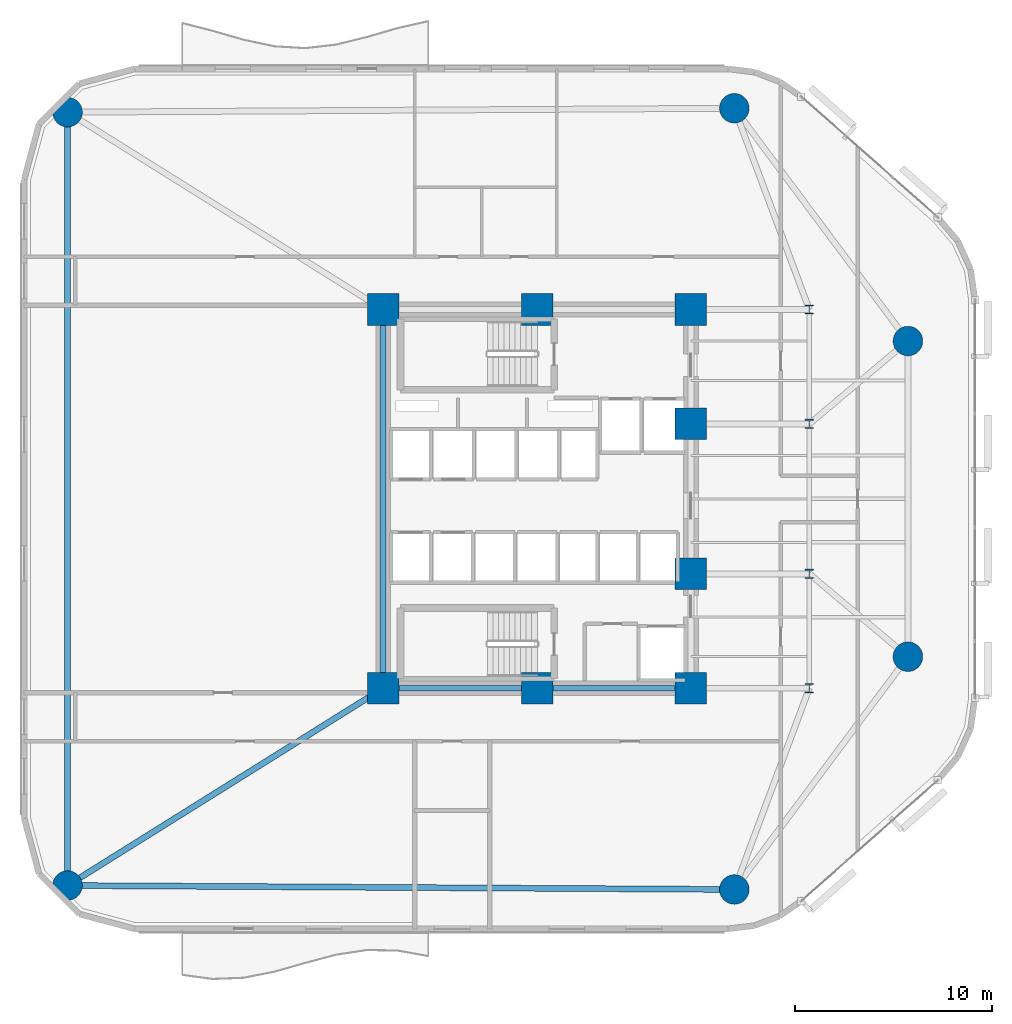
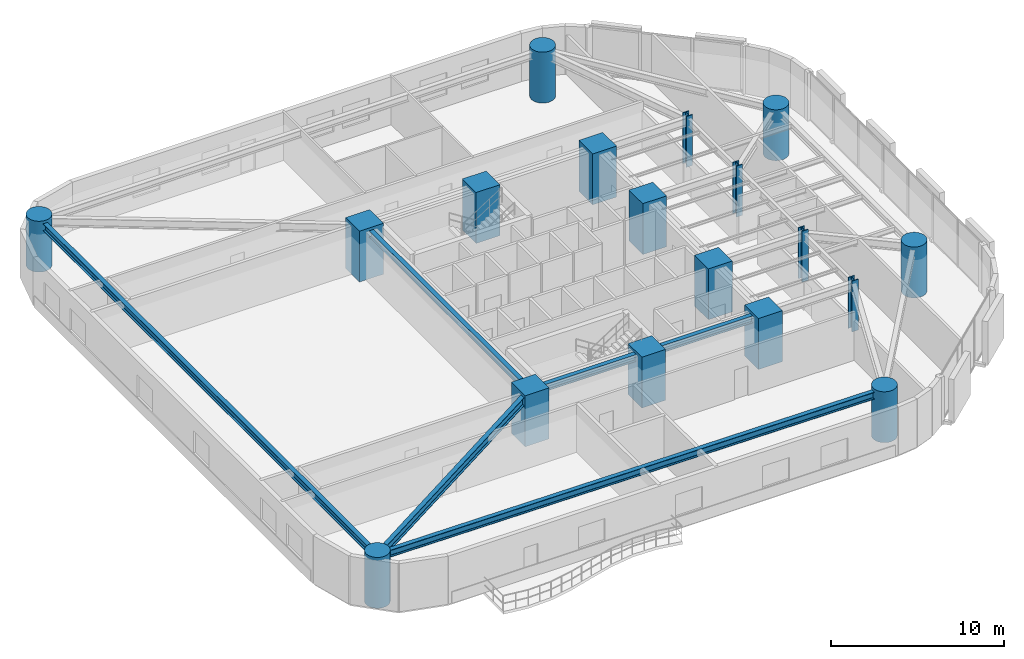
# One storey, part 1 of 15: 18 columns, 5 beams.
"""IFC4 building model written with IfcOpenShell, lengths in metres."""

from ifc_helpers import new_model, si_unit, direction, frame, origin, origin_2d, place, context, subcontext, project, spatial, rectangle, circle, i_section, extrude, material, material_profile, profile_set, type_object, element, save


model = new_model("IFC4")

# Units and contexts
model_context = context("Model", 3, precision=1e-05, world=origin(), true_north=direction((0.0, 1.0)))
body_context = subcontext(model_context, "Body", "Model", "MODEL_VIEW")
ifc_project = project(units=[si_unit("LENGTHUNIT", "METRE"), si_unit("AREAUNIT", "SQUARE_METRE"), si_unit("VOLUMEUNIT", "CUBIC_METRE"), si_unit("PLANEANGLEUNIT", "RADIAN"), si_unit("MASSUNIT", "GRAM", prefix="KILO")], contexts=[model_context])

# Site, building, storey
site_placement = place(None, origin())
site = spatial("IfcSite", under=ifc_project, at=site_placement, CompositionType="ELEMENT")
building_placement = place(site_placement, origin())
building = spatial("IfcBuilding", under=site, at=building_placement, Name="An Khanh Terracotta Commons", CompositionType="ELEMENT")
storey_placement = place(building_placement, frame((0.0, 0.0, 64.800048828125)))
storey = spatial("IfcBuildingStorey", under=building, at=storey_placement, Name="L17", CompositionType="ELEMENT", Elevation=64.800048828125)

# Columns
ifc_material_1 = material(Name="Concrete C70/85", Category="concrete")
ifc_material_profile_1 = material_profile(ifc_material_1, circle(Radius=0.75, at=origin_2d()), Name="CFST1500")
ifc_profile_set_1 = profile_set([ifc_material_profile_1], Name="Concrete C70/85")
column_type_1 = type_object("IfcColumnType", Name="COL-CFST1500", PredefinedType="COLUMN", material=ifc_profile_set_1)
for number, where, z_axis, x_axis, name in (
    (1, (5.60009765625, 4.39990234375, 0.0), (0.0, 0.0, 1.0), (1.0, 0.0, 0.0), "L17 Perimeter CFST Mega-Column MC-01"),
    (2, (39.39990234375, 4.199951171875, 0.0), (0.0, 0.0, 1.0), (1.0, 0.0, 0.0), "L17 Perimeter CFST Mega-Column MC-02"),
    (3, (48.199951171875, 16.0, 0.0), (0.0, 0.0, 1.0), (1.0, 0.0, 0.0), "L17 Perimeter CFST Mega-Column MC-03"),
    (4, (48.199951171875, 32.0, 0.0), (0.0, 0.0, 1.0), (1.0, 0.0, 0.0), "L17 Perimeter CFST Mega-Column MC-04"),
    (5, (39.39990234375, 43.800048828125, 0.0), (0.0, 0.0, 1.0), (1.0, 0.0, 0.0), "L17 Perimeter CFST Mega-Column MC-05"),
    (6, (5.60009765625, 43.60009765625, 0.0), (0.0, 0.0, 1.0), (1.0, 0.0, 0.0), "L17 Perimeter CFST Mega-Column MC-06"),
):
    element("IfcColumn", number, at=place(storey_placement, frame(where, z_axis=z_axis, x_axis=x_axis)), inside=storey, type_object=column_type_1, Name=name, PredefinedType="COLUMN", context=body_context, shape_type="SweptSolid", body=[
        extrude(circle(Radius=0.75, at=origin_2d()), origin(), (0.0, 0.0, 1.0), 3.599853515625),
    ])
ifc_material_2 = material(Name="Steel S460ML", Category="steel")
ifc_material_profile_2 = material_profile(ifc_material_2, i_section(OverallWidth=0.4169921875, OverallDepth=0.47705078125, WebThickness=0.035888671875, FlangeThickness=0.057373046875, FilletRadius=0.014892578125, at=origin_2d()), Name="HD400x463")
ifc_profile_set_2 = profile_set([ifc_material_profile_2], Name="Steel S460ML")
column_type_2 = type_object("IfcColumnType", Name="COL-HD400x463", PredefinedType="COLUMN", material=ifc_profile_set_2)
for number, where, z_axis, x_axis, name in (
    (7, (43.199951171875, 14.39990234375, 0.0), (0.0, 0.0, 1.0), (1.0, 0.0, 0.0), "L17 Interior Frame Column TC-01"),
    (8, (43.199951171875, 20.199951171875, 0.0), (0.0, 0.0, 1.0), (1.0, 0.0, 0.0), "L17 Interior Frame Column TC-02"),
    (9, (43.199951171875, 27.800048828125, 0.0), (0.0, 0.0, 1.0), (1.0, 0.0, 0.0), "L17 Interior Frame Column TC-03"),
    (10, (43.199951171875, 33.60009765625, 0.0), (0.0, 0.0, 1.0), (1.0, 0.0, 0.0), "L17 Interior Frame Column TC-04"),
):
    element("IfcColumn", number, at=place(storey_placement, frame(where, z_axis=z_axis, x_axis=x_axis)), inside=storey, type_object=column_type_2, Name=name, PredefinedType="COLUMN", context=body_context, shape_type="SweptSolid", body=[
        extrude(i_section(OverallWidth=0.4169921875, OverallDepth=0.47705078125, WebThickness=0.035888671875, FlangeThickness=0.057373046875, FilletRadius=0.014892578125, at=origin_2d()), origin(), (0.0, 0.0, 1.0), 3.599853515625),
    ])
ifc_material_profile_3 = material_profile(ifc_material_1, rectangle(XDim=1.60009765625, YDim=1.60009765625, at=origin_2d()), Name="RC1600x1600")
ifc_profile_set_3 = profile_set([ifc_material_profile_3], Name="Concrete C70/85")
column_type_3 = type_object("IfcColumnType", Name="COL-RC1600x1600", PredefinedType="COLUMN", material=ifc_profile_set_3)
for number, where, z_axis, x_axis, name in (
    (11, (21.60009765625, 14.39990234375, 0.0), (0.0, 0.0, 1.0), (1.0, 0.0, 0.0), "L17 Core Boundary Column CC-01"),
    (12, (29.39990234375, 14.39990234375, 0.0), (0.0, 0.0, 1.0), (1.0, 0.0, 0.0), "L17 Core Boundary Column CC-02"),
    (13, (37.199951171875, 14.39990234375, 0.0), (0.0, 0.0, 1.0), (1.0, 0.0, 0.0), "L17 Core Boundary Column CC-03"),
    (14, (37.199951171875, 20.199951171875, 0.0), (0.0, 0.0, 1.0), (1.0, 0.0, 0.0), "L17 Core Boundary Column CC-04"),
    (15, (37.199951171875, 27.800048828125, 0.0), (0.0, 0.0, 1.0), (1.0, 0.0, 0.0), "L17 Core Boundary Column CC-05"),
    (16, (37.199951171875, 33.60009765625, 0.0), (0.0, 0.0, 1.0), (1.0, 0.0, 0.0), "L17 Core Boundary Column CC-06"),
    (17, (29.39990234375, 33.60009765625, 0.0), (0.0, 0.0, 1.0), (1.0, 0.0, 0.0), "L17 Core Boundary Column CC-07"),
    (18, (21.60009765625, 33.60009765625, 0.0), (0.0, 0.0, 1.0), (1.0, 0.0, 0.0), "L17 Core Boundary Column CC-08"),
):
    element("IfcColumn", number, at=place(storey_placement, frame(where, z_axis=z_axis, x_axis=x_axis)), inside=storey, type_object=column_type_3, Name=name, PredefinedType="COLUMN", context=body_context, shape_type="SweptSolid", body=[
        extrude(rectangle(XDim=1.60009765625, YDim=1.60009765625, at=origin_2d()), origin(), (0.0, 0.0, 1.0), 3.599853515625),
    ])

# Beams
ifc_material_3 = material(Name="Steel S355J2", Category="steel")
ifc_material_profile_4 = material_profile(ifc_material_3, i_section(OverallWidth=0.300048828125, OverallDepth=0.449951171875, WebThickness=0.013916015625, FlangeThickness=0.02587890625, FilletRadius=0.027099609375, at=origin_2d()), Name="HEB450")
ifc_profile_set_4 = profile_set([ifc_material_profile_4], Name="Steel S355J2")
beam_type_1 = type_object("IfcBeamType", Name="BM-HEB450", PredefinedType="BEAM", material=ifc_profile_set_4)
beam_1_placement = place(storey_placement, frame((21.60009765625, 14.39990234375, 3.175048828125), z_axis=(0.0, 1.0, 0.0), x_axis=(-1.0, 0.0, 0.0)))
element("IfcBeam", 19, at=beam_1_placement, inside=storey, type_object=beam_type_1, Name="L17 Core West Coupling Girder", PredefinedType="BEAM", context=body_context, shape_type="SweptSolid", body=[
    extrude(i_section(OverallWidth=0.300048828125, OverallDepth=0.449951171875, WebThickness=0.013916015625, FlangeThickness=0.02587890625, FilletRadius=0.027099609375, at=origin_2d()), origin(), (0.0, 0.0, 1.0), 19.2001953125),
])
ifc_material_profile_5 = material_profile(ifc_material_3, i_section(OverallWidth=0.300048828125, OverallDepth=0.5, WebThickness=0.014404296875, FlangeThickness=0.028076171875, FilletRadius=0.027099609375, at=origin_2d()), Name="HEB500")
ifc_profile_set_5 = profile_set([ifc_material_profile_5], Name="Steel S355J2")
beam_type_2 = type_object("IfcBeamType", Name="BM-HEB500", PredefinedType="BEAM", material=ifc_profile_set_5)
beam_2_placement = place(storey_placement, frame((21.60009765625, 14.39990234375, 3.14990234375), z_axis=(1.0, 0.0, 0.0), x_axis=(0.0, 1.0, 0.0)))
element("IfcBeam", 20, at=beam_2_placement, inside=storey, type_object=beam_type_2, Name="L17 Core South Coupling Girder", PredefinedType="BEAM", context=body_context, shape_type="SweptSolid", body=[
    extrude(i_section(OverallWidth=0.300048828125, OverallDepth=0.5, WebThickness=0.014404296875, FlangeThickness=0.028076171875, FilletRadius=0.027099609375, at=origin_2d()), origin(), (0.0, 0.0, 1.0), 15.599853515625),
])
beam_3_placement = place(storey_placement, frame((5.60009765625, 4.39990234375, 3.14990234375), z_axis=(0.999982502414, -0.005915645817, 0.0), x_axis=(0.005915645817, 0.999982502414, 0.0)))
element("IfcBeam", 21, at=beam_3_placement, inside=storey, type_object=beam_type_2, Name="L17 Perimeter Ring Spandrel 1", PredefinedType="BEAM", context=body_context, shape_type="SweptSolid", body=[
    extrude(i_section(OverallWidth=0.300048828125, OverallDepth=0.5, WebThickness=0.014404296875, FlangeThickness=0.028076171875, FilletRadius=0.027099609375, at=origin_2d()), origin(), (0.0, 0.0, 1.0), 33.80029296875),
])
beam_4_placement = place(storey_placement, frame((5.60009765625, 43.60009765625, 3.14990234375), z_axis=(0.0, -1.0, 0.0), x_axis=(1.0, 0.0, 0.0)))
element("IfcBeam", 22, at=beam_4_placement, inside=storey, type_object=beam_type_2, Name="L17 Perimeter Ring Spandrel 6", PredefinedType="BEAM", context=body_context, shape_type="SweptSolid", body=[
    extrude(i_section(OverallWidth=0.300048828125, OverallDepth=0.5, WebThickness=0.014404296875, FlangeThickness=0.028076171875, FilletRadius=0.027099609375, at=origin_2d()), origin(), (0.0, 0.0, 1.0), 39.2001953125),
])
ifc_material_profile_6 = material_profile(ifc_material_3, i_section(OverallWidth=0.300048828125, OverallDepth=0.60009765625, WebThickness=0.015380859375, FlangeThickness=0.030029296875, FilletRadius=0.027099609375, at=origin_2d()), Name="HEB600")
ifc_profile_set_6 = profile_set([ifc_material_profile_6], Name="Steel S355J2")
beam_type_3 = type_object("IfcBeamType", Name="BM-HEB600", PredefinedType="BEAM", material=ifc_profile_set_6)
beam_5_placement = place(storey_placement, frame((5.60009765625, 4.39990234375, 3.099853515625), z_axis=(0.847998304005, 0.529998940003, 0.0), x_axis=(-0.529998940003, 0.847998304005, 0.0)))
element("IfcBeam", 23, at=beam_5_placement, inside=storey, type_object=beam_type_3, Name="L17 Mega-Column Tie Girder 1", PredefinedType="BEAM", context=body_context, shape_type="SweptSolid", body=[
    extrude(i_section(OverallWidth=0.300048828125, OverallDepth=0.60009765625, WebThickness=0.015380859375, FlangeThickness=0.030029296875, FilletRadius=0.027099609375, at=origin_2d()), origin(), (0.0, 0.0, 1.0), 18.867919921875),
])

save(model, "model.ifc")
